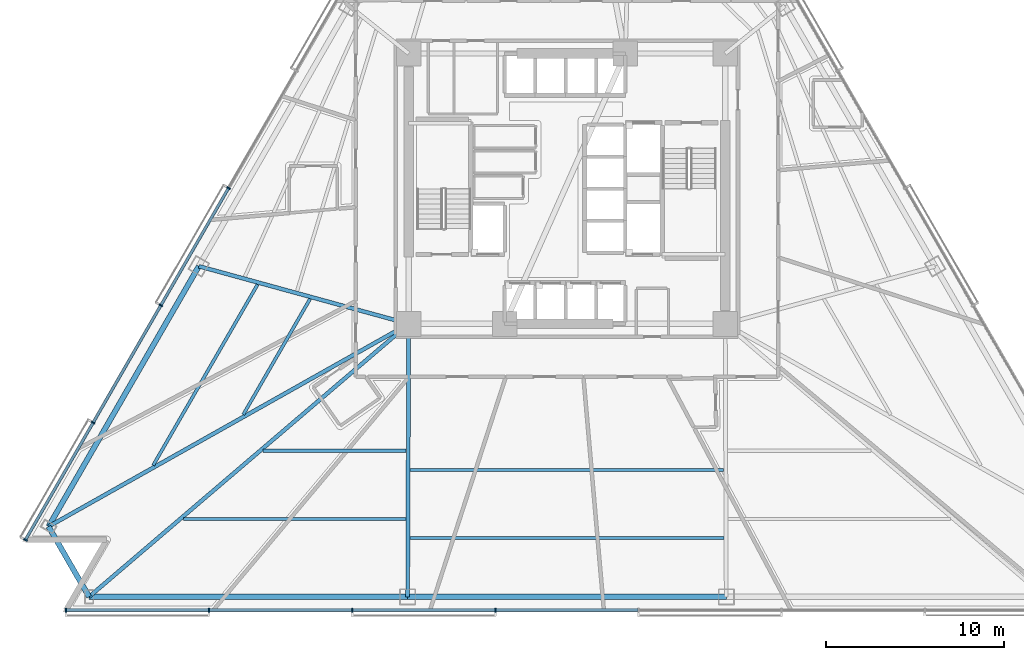
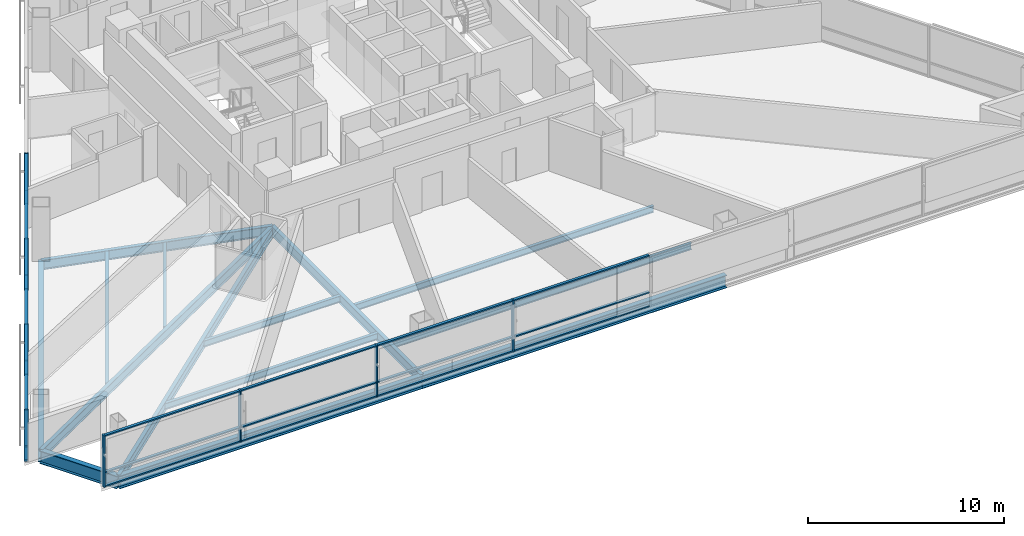
# One storey, part 2 of 18: 29 members, 14 beams, 2 elements without a shape of their own.
"""IFC4 building model written with IfcOpenShell, lengths in metres."""

from ifc_helpers import new_model, si_unit, direction, frame, origin, origin_2d, place, context, subcontext, project, spatial, rectangle, i_section, extrude, material, layer, layer_set, material_profile, profile_set, type_object, element, aggregate, save


model = new_model("IFC4")

# Units and contexts
model_context = context("Model", 3, precision=1e-05, world=origin(), true_north=direction((0.0, 1.0)))
body_context = subcontext(model_context, "Body", "Model", "MODEL_VIEW")
ifc_project = project(units=[si_unit("LENGTHUNIT", "METRE"), si_unit("AREAUNIT", "SQUARE_METRE"), si_unit("VOLUMEUNIT", "CUBIC_METRE"), si_unit("PLANEANGLEUNIT", "RADIAN"), si_unit("MASSUNIT", "GRAM", prefix="KILO")], contexts=[model_context])

# Site, building, storey
site_placement = place(None, origin())
site = spatial("IfcSite", under=ifc_project, at=site_placement, CompositionType="ELEMENT")
building_placement = place(site_placement, origin())
building = spatial("IfcBuilding", under=site, at=building_placement, Name="Tharavind Bronze Gate", CompositionType="ELEMENT")
storey_placement = place(building_placement, frame((0.0, 0.0, 38.64990234375)))
storey = spatial("IfcBuildingStorey", under=building, at=storey_placement, Name="L08", CompositionType="ELEMENT", Elevation=38.64990234375)

# Curtain wall, members
ifc_material_1 = material(Name="Anodised Bronze Aluminium", Category="aluminium")
ifc_layer = layer(ifc_material_1, 0.219970703125)
ifc_layer_set = layer_set([ifc_layer], Name="Anodised Bronze Aluminium")
curtain_wall_type = type_object("IfcCurtainWallType", Name="UNITISED CURTAIN WALL HOTEL", PredefinedType="USERDEFINED", material=ifc_layer_set)
curtain_wall_1_placement = place(storey_placement, origin())
curtain_wall_1 = element("IfcCurtainWall", 1, at=curtain_wall_1_placement, inside=storey, type_object=curtain_wall_type, Name="L08 unitised curtain wall hotel CW-L08-S1", ObjectType="UNITISED CURTAIN WALL", PredefinedType="USERDEFINED")
member_type_1 = type_object("IfcMemberType", Name="CURTAIN WALL MULLION 80X220", PredefinedType="MULLION", material=ifc_material_1)
member_1_placement = place(storey_placement, frame((-19.031982421875, 0.035888671875, 0.0), z_axis=(0.0, 0.0, 1.0), x_axis=(-0.500001511499, -0.866024531118, 0.0)))
member_1 = element("IfcMember", 2, at=member_1_placement, type_object=member_type_1, Name="CW-L08-S1 mullion 5", PredefinedType="MULLION", context=body_context, shape_type="SweptSolid", body=[
    extrude(rectangle(XDim=0.080078125, YDim=0.219970703125, at=origin_2d()), origin(), (0.0, 0.0, 1.0), 3.22509765625),
])
member_2_placement = place(storey_placement, frame((-22.83984375, -6.559814453125, 0.0), z_axis=(0.0, 0.0, 1.0), x_axis=(-0.500001511499, -0.866024531118, 0.0)))
member_2 = element("IfcMember", 3, at=member_2_placement, type_object=member_type_1, Name="CW-L08-S1 mullion 6", PredefinedType="MULLION", context=body_context, shape_type="SweptSolid", body=[
    extrude(rectangle(XDim=0.080078125, YDim=0.219970703125, at=origin_2d()), origin(), (0.0, 0.0, 1.0), 3.22509765625),
])
member_3_placement = place(storey_placement, frame((-26.647705078125, -13.1552734375, 0.0), z_axis=(0.0, 0.0, 1.0), x_axis=(-0.500001511499, -0.866024531118, 0.0)))
member_3 = element("IfcMember", 4, at=member_3_placement, type_object=member_type_1, Name="CW-L08-S1 mullion 7", PredefinedType="MULLION", context=body_context, shape_type="SweptSolid", body=[
    extrude(rectangle(XDim=0.080078125, YDim=0.219970703125, at=origin_2d()), origin(), (0.0, 0.0, 1.0), 3.22509765625),
])
member_4_placement = place(storey_placement, frame((-30.455810546875, -19.7509765625, 0.0), z_axis=(0.0, 0.0, 1.0), x_axis=(-0.500001511499, -0.866024531118, 0.0)))
member_4 = element("IfcMember", 5, at=member_4_placement, type_object=member_type_1, Name="CW-L08-S1 mullion 8", PredefinedType="MULLION", context=body_context, shape_type="SweptSolid", body=[
    extrude(rectangle(XDim=0.080078125, YDim=0.219970703125, at=origin_2d()), origin(), (0.0, 0.0, 1.0), 3.22509765625),
])

curtain_wall_2_placement = place(storey_placement, origin())
curtain_wall_2 = element("IfcCurtainWall", 6, at=curtain_wall_2_placement, inside=storey, type_object=curtain_wall_type, Name="L08 unitised curtain wall hotel CW-L08-S2", ObjectType="UNITISED CURTAIN WALL", PredefinedType="USERDEFINED")
member_5_placement = place(storey_placement, frame((-28.17578125, -23.699951171875, 0.0), z_axis=(0.0, 0.0, 1.0), x_axis=(1.0, 0.0, 0.0)))
member_5 = element("IfcMember", 7, at=member_5_placement, type_object=member_type_1, Name="CW-L08-S2 mullion 1", PredefinedType="MULLION", context=body_context, shape_type="SweptSolid", body=[
    extrude(rectangle(XDim=0.080078125, YDim=0.219970703125, at=origin_2d()), origin(), (0.0, 0.0, 1.0), 3.22509765625),
])
member_6_placement = place(storey_placement, frame((-20.12548828125, -23.699951171875, 0.0), z_axis=(0.0, 0.0, 1.0), x_axis=(1.0, 0.0, 0.0)))
member_6 = element("IfcMember", 8, at=member_6_placement, type_object=member_type_1, Name="CW-L08-S2 mullion 2", PredefinedType="MULLION", context=body_context, shape_type="SweptSolid", body=[
    extrude(rectangle(XDim=0.080078125, YDim=0.219970703125, at=origin_2d()), origin(), (0.0, 0.0, 1.0), 3.22509765625),
])
member_7_placement = place(storey_placement, frame((-12.0751953125, -23.699951171875, 0.0), z_axis=(0.0, 0.0, 1.0), x_axis=(1.0, 0.0, 0.0)))
member_7 = element("IfcMember", 9, at=member_7_placement, type_object=member_type_1, Name="CW-L08-S2 mullion 3", PredefinedType="MULLION", context=body_context, shape_type="SweptSolid", body=[
    extrude(rectangle(XDim=0.080078125, YDim=0.219970703125, at=origin_2d()), origin(), (0.0, 0.0, 1.0), 3.22509765625),
])
member_8_placement = place(storey_placement, frame((-4.025146484375, -23.699951171875, 0.0), z_axis=(0.0, 0.0, 1.0), x_axis=(1.0, 0.0, 0.0)))
member_8 = element("IfcMember", 10, at=member_8_placement, type_object=member_type_1, Name="CW-L08-S2 mullion 4", PredefinedType="MULLION", context=body_context, shape_type="SweptSolid", body=[
    extrude(rectangle(XDim=0.080078125, YDim=0.219970703125, at=origin_2d()), origin(), (0.0, 0.0, 1.0), 3.22509765625),
])

# Member
member_type_2 = type_object("IfcMemberType", Name="CURTAIN WALL TRANSOM 80X160", PredefinedType="USERDEFINED", material=ifc_material_1)
member_9_placement = place(storey_placement, frame((-20.935791015625, -3.261962890625, 0.0), z_axis=(0.0, 0.0, 1.0), x_axis=(-0.500001511499, -0.866024531118, 0.0)))
member_9 = element("IfcMember", 11, at=member_9_placement, type_object=member_type_2, Name="CW-L08-S1 transom TB5", ObjectType="TRANSOM", PredefinedType="USERDEFINED", context=body_context, shape_type="SweptSolid", body=[
    extrude(rectangle(XDim=7.5478515625, YDim=0.159912109375, at=origin_2d()), origin(), (0.0, 0.0, 1.0), 0.080078125),
])

member_10_placement = place(storey_placement, frame((-20.935791015625, -3.261962890625, 0.860107421875), z_axis=(0.0, 0.0, 1.0), x_axis=(-0.500001511499, -0.866024531118, 0.0)))
member_10 = element("IfcMember", 12, at=member_10_placement, type_object=member_type_2, Name="CW-L08-S1 transom TS5", ObjectType="TRANSOM", PredefinedType="USERDEFINED", context=body_context, shape_type="SweptSolid", body=[
    extrude(rectangle(XDim=7.5478515625, YDim=0.159912109375, at=origin_2d()), origin(), (0.0, 0.0, 1.0), 0.080078125),
])

member_11_placement = place(storey_placement, frame((-20.935791015625, -3.261962890625, 3.14501953125), z_axis=(0.0, 0.0, 1.0), x_axis=(-0.500001511499, -0.866024531118, 0.0)))
member_11 = element("IfcMember", 13, at=member_11_placement, type_object=member_type_2, Name="CW-L08-S1 transom TT5", ObjectType="TRANSOM", PredefinedType="USERDEFINED", context=body_context, shape_type="SweptSolid", body=[
    extrude(rectangle(XDim=7.5478515625, YDim=0.159912109375, at=origin_2d()), origin(), (0.0, 0.0, 1.0), 0.080078125),
])

member_12_placement = place(storey_placement, frame((-24.743896484375, -9.857421875, 0.0), z_axis=(0.0, 0.0, 1.0), x_axis=(-0.500001511499, -0.866024531118, 0.0)))
member_12 = element("IfcMember", 14, at=member_12_placement, type_object=member_type_2, Name="CW-L08-S1 transom TB6", ObjectType="TRANSOM", PredefinedType="USERDEFINED", context=body_context, shape_type="SweptSolid", body=[
    extrude(rectangle(XDim=7.5478515625, YDim=0.159912109375, at=origin_2d()), origin(), (0.0, 0.0, 1.0), 0.080078125),
])

member_13_placement = place(storey_placement, frame((-24.743896484375, -9.857421875, 0.860107421875), z_axis=(0.0, 0.0, 1.0), x_axis=(-0.500001511499, -0.866024531118, 0.0)))
member_13 = element("IfcMember", 15, at=member_13_placement, type_object=member_type_2, Name="CW-L08-S1 transom TS6", ObjectType="TRANSOM", PredefinedType="USERDEFINED", context=body_context, shape_type="SweptSolid", body=[
    extrude(rectangle(XDim=7.5478515625, YDim=0.159912109375, at=origin_2d()), origin(), (0.0, 0.0, 1.0), 0.080078125),
])

member_14_placement = place(storey_placement, frame((-24.743896484375, -9.857421875, 3.14501953125), z_axis=(0.0, 0.0, 1.0), x_axis=(-0.500001511499, -0.866024531118, 0.0)))
member_14 = element("IfcMember", 16, at=member_14_placement, type_object=member_type_2, Name="CW-L08-S1 transom TT6", ObjectType="TRANSOM", PredefinedType="USERDEFINED", context=body_context, shape_type="SweptSolid", body=[
    extrude(rectangle(XDim=7.5478515625, YDim=0.159912109375, at=origin_2d()), origin(), (0.0, 0.0, 1.0), 0.080078125),
])

member_15_placement = place(storey_placement, frame((-28.5517578125, -16.453125, 0.0), z_axis=(0.0, 0.0, 1.0), x_axis=(-0.500001511499, -0.866024531118, 0.0)))
member_15 = element("IfcMember", 17, at=member_15_placement, type_object=member_type_2, Name="CW-L08-S1 transom TB7", ObjectType="TRANSOM", PredefinedType="USERDEFINED", context=body_context, shape_type="SweptSolid", body=[
    extrude(rectangle(XDim=7.5478515625, YDim=0.159912109375, at=origin_2d()), origin(), (0.0, 0.0, 1.0), 0.080078125),
])

member_16_placement = place(storey_placement, frame((-28.5517578125, -16.453125, 0.860107421875), z_axis=(0.0, 0.0, 1.0), x_axis=(-0.500001511499, -0.866024531118, 0.0)))
member_16 = element("IfcMember", 18, at=member_16_placement, type_object=member_type_2, Name="CW-L08-S1 transom TS7", ObjectType="TRANSOM", PredefinedType="USERDEFINED", context=body_context, shape_type="SweptSolid", body=[
    extrude(rectangle(XDim=7.5478515625, YDim=0.159912109375, at=origin_2d()), origin(), (0.0, 0.0, 1.0), 0.080078125),
])

member_17_placement = place(storey_placement, frame((-28.5517578125, -16.453125, 3.14501953125), z_axis=(0.0, 0.0, 1.0), x_axis=(-0.500001511499, -0.866024531118, 0.0)))
member_17 = element("IfcMember", 19, at=member_17_placement, type_object=member_type_2, Name="CW-L08-S1 transom TT7", ObjectType="TRANSOM", PredefinedType="USERDEFINED", context=body_context, shape_type="SweptSolid", body=[
    extrude(rectangle(XDim=7.5478515625, YDim=0.159912109375, at=origin_2d()), origin(), (0.0, 0.0, 1.0), 0.080078125),
])

aggregate(curtain_wall_1, [member_1, member_2, member_3, member_4, member_9, member_10, member_11, member_12, member_13, member_14, member_15, member_16, member_17])

member_18_placement = place(storey_placement, frame((-24.150634765625, -23.699951171875, 0.0), z_axis=(0.0, 0.0, 1.0), x_axis=(1.0, 0.0, 0.0)))
member_18 = element("IfcMember", 20, at=member_18_placement, type_object=member_type_2, Name="CW-L08-S2 transom TB1", ObjectType="TRANSOM", PredefinedType="USERDEFINED", context=body_context, shape_type="SweptSolid", body=[
    extrude(rectangle(XDim=7.982177734375, YDim=0.159912109375, at=origin_2d()), origin(), (0.0, 0.0, 1.0), 0.080078125),
])

member_19_placement = place(storey_placement, frame((-24.150634765625, -23.699951171875, 0.860107421875), z_axis=(0.0, 0.0, 1.0), x_axis=(1.0, 0.0, 0.0)))
member_19 = element("IfcMember", 21, at=member_19_placement, type_object=member_type_2, Name="CW-L08-S2 transom TS1", ObjectType="TRANSOM", PredefinedType="USERDEFINED", context=body_context, shape_type="SweptSolid", body=[
    extrude(rectangle(XDim=7.982177734375, YDim=0.159912109375, at=origin_2d()), origin(), (0.0, 0.0, 1.0), 0.080078125),
])

member_20_placement = place(storey_placement, frame((-24.150634765625, -23.699951171875, 3.14501953125), z_axis=(0.0, 0.0, 1.0), x_axis=(1.0, 0.0, 0.0)))
member_20 = element("IfcMember", 22, at=member_20_placement, type_object=member_type_2, Name="CW-L08-S2 transom TT1", ObjectType="TRANSOM", PredefinedType="USERDEFINED", context=body_context, shape_type="SweptSolid", body=[
    extrude(rectangle(XDim=7.982177734375, YDim=0.159912109375, at=origin_2d()), origin(), (0.0, 0.0, 1.0), 0.080078125),
])

member_21_placement = place(storey_placement, frame((-16.1005859375, -23.699951171875, 0.0), z_axis=(0.0, 0.0, 1.0), x_axis=(1.0, 0.0, 0.0)))
member_21 = element("IfcMember", 23, at=member_21_placement, type_object=member_type_2, Name="CW-L08-S2 transom TB2", ObjectType="TRANSOM", PredefinedType="USERDEFINED", context=body_context, shape_type="SweptSolid", body=[
    extrude(rectangle(XDim=7.982177734375, YDim=0.159912109375, at=origin_2d()), origin(), (0.0, 0.0, 1.0), 0.080078125),
])

member_22_placement = place(storey_placement, frame((-16.1005859375, -23.699951171875, 0.860107421875), z_axis=(0.0, 0.0, 1.0), x_axis=(1.0, 0.0, 0.0)))
member_22 = element("IfcMember", 24, at=member_22_placement, type_object=member_type_2, Name="CW-L08-S2 transom TS2", ObjectType="TRANSOM", PredefinedType="USERDEFINED", context=body_context, shape_type="SweptSolid", body=[
    extrude(rectangle(XDim=7.982177734375, YDim=0.159912109375, at=origin_2d()), origin(), (0.0, 0.0, 1.0), 0.080078125),
])

member_23_placement = place(storey_placement, frame((-16.1005859375, -23.699951171875, 3.14501953125), z_axis=(0.0, 0.0, 1.0), x_axis=(1.0, 0.0, 0.0)))
member_23 = element("IfcMember", 25, at=member_23_placement, type_object=member_type_2, Name="CW-L08-S2 transom TT2", ObjectType="TRANSOM", PredefinedType="USERDEFINED", context=body_context, shape_type="SweptSolid", body=[
    extrude(rectangle(XDim=7.982177734375, YDim=0.159912109375, at=origin_2d()), origin(), (0.0, 0.0, 1.0), 0.080078125),
])

member_24_placement = place(storey_placement, frame((-8.05029296875, -23.699951171875, 0.0), z_axis=(0.0, 0.0, 1.0), x_axis=(1.0, 0.0, 0.0)))
member_24 = element("IfcMember", 26, at=member_24_placement, type_object=member_type_2, Name="CW-L08-S2 transom TB3", ObjectType="TRANSOM", PredefinedType="USERDEFINED", context=body_context, shape_type="SweptSolid", body=[
    extrude(rectangle(XDim=7.982177734375, YDim=0.159912109375, at=origin_2d()), origin(), (0.0, 0.0, 1.0), 0.080078125),
])

member_25_placement = place(storey_placement, frame((-8.05029296875, -23.699951171875, 0.860107421875), z_axis=(0.0, 0.0, 1.0), x_axis=(1.0, 0.0, 0.0)))
member_25 = element("IfcMember", 27, at=member_25_placement, type_object=member_type_2, Name="CW-L08-S2 transom TS3", ObjectType="TRANSOM", PredefinedType="USERDEFINED", context=body_context, shape_type="SweptSolid", body=[
    extrude(rectangle(XDim=7.982177734375, YDim=0.159912109375, at=origin_2d()), origin(), (0.0, 0.0, 1.0), 0.080078125),
])

member_26_placement = place(storey_placement, frame((-8.05029296875, -23.699951171875, 3.14501953125), z_axis=(0.0, 0.0, 1.0), x_axis=(1.0, 0.0, 0.0)))
member_26 = element("IfcMember", 28, at=member_26_placement, type_object=member_type_2, Name="CW-L08-S2 transom TT3", ObjectType="TRANSOM", PredefinedType="USERDEFINED", context=body_context, shape_type="SweptSolid", body=[
    extrude(rectangle(XDim=7.982177734375, YDim=0.159912109375, at=origin_2d()), origin(), (0.0, 0.0, 1.0), 0.080078125),
])

member_27_placement = place(storey_placement, frame((0.0, -23.699951171875, 0.0), z_axis=(0.0, 0.0, 1.0), x_axis=(1.0, 0.0, 0.0)))
member_27 = element("IfcMember", 29, at=member_27_placement, type_object=member_type_2, Name="CW-L08-S2 transom TB4", ObjectType="TRANSOM", PredefinedType="USERDEFINED", context=body_context, shape_type="SweptSolid", body=[
    extrude(rectangle(XDim=7.982177734375, YDim=0.159912109375, at=origin_2d()), origin(), (0.0, 0.0, 1.0), 0.080078125),
])

member_28_placement = place(storey_placement, frame((0.0, -23.699951171875, 0.860107421875), z_axis=(0.0, 0.0, 1.0), x_axis=(1.0, 0.0, 0.0)))
member_28 = element("IfcMember", 30, at=member_28_placement, type_object=member_type_2, Name="CW-L08-S2 transom TS4", ObjectType="TRANSOM", PredefinedType="USERDEFINED", context=body_context, shape_type="SweptSolid", body=[
    extrude(rectangle(XDim=7.982177734375, YDim=0.159912109375, at=origin_2d()), origin(), (0.0, 0.0, 1.0), 0.080078125),
])

member_29_placement = place(storey_placement, frame((0.0, -23.699951171875, 3.14501953125), z_axis=(0.0, 0.0, 1.0), x_axis=(1.0, 0.0, 0.0)))
member_29 = element("IfcMember", 31, at=member_29_placement, type_object=member_type_2, Name="CW-L08-S2 transom TT4", ObjectType="TRANSOM", PredefinedType="USERDEFINED", context=body_context, shape_type="SweptSolid", body=[
    extrude(rectangle(XDim=7.982177734375, YDim=0.159912109375, at=origin_2d()), origin(), (0.0, 0.0, 1.0), 0.080078125),
])

aggregate(curtain_wall_2, [member_5, member_6, member_7, member_8, member_18, member_19, member_20, member_21, member_22, member_23, member_24, member_25, member_26, member_27, member_28, member_29])

# Beams
ifc_material_2 = material(Name="Steel S355", Category="steel")
ifc_material_profile_1 = material_profile(ifc_material_2, i_section(OverallWidth=0.219970703125, OverallDepth=0.60009765625, WebThickness=0.011962890625, FlangeThickness=0.01904296875, at=origin_2d()), Name="IPE600")
ifc_profile_set_1 = profile_set([ifc_material_profile_1], Name="Steel S355")
beam_type_1 = type_object("IfcBeamType", Name="PRIMARY GIRDER IPE600", PredefinedType="USERDEFINED", material=ifc_profile_set_1)
beam_1_placement = place(storey_placement, frame((-20.70458984375, -4.361083984375, -0.474853515625), z_axis=(0.96435718827, -0.264603880228, 0.0), x_axis=(0.264603880228, 0.96435718827, 0.0)))
element("IfcBeam", 32, at=beam_1_placement, inside=storey, type_object=beam_type_1, Name="L08 primary girder ipe600 BM-L08-RAD03", ObjectType="GIRDER", PredefinedType="USERDEFINED", context=body_context, shape_type="SweptSolid", body=[
    extrude(i_section(OverallWidth=0.219970703125, OverallDepth=0.60009765625, WebThickness=0.011962890625, FlangeThickness=0.01904296875, at=origin_2d()), origin(), (0.0, 0.0, 1.0), 12.240966796875),
])
beam_2_placement = place(storey_placement, frame((-29.15673828125, -19.0009765625, -0.474853515625), z_axis=(0.871457703454, 0.490470662824, 0.0), x_axis=(-0.490470662824, 0.871457703454, 0.0)))
element("IfcBeam", 33, at=beam_2_placement, inside=storey, type_object=beam_type_1, Name="L08 primary girder ipe600 BM-L08-RAD04", ObjectType="GIRDER", PredefinedType="USERDEFINED", context=body_context, shape_type="SweptSolid", body=[
    extrude(i_section(OverallWidth=0.219970703125, OverallDepth=0.60009765625, WebThickness=0.011962890625, FlangeThickness=0.01904296875, at=origin_2d()), origin(), (0.0, 0.0, 1.0), 23.244873046875),
])
beam_3_placement = place(storey_placement, frame((-26.876708984375, -22.949951171875, -0.474853515625), z_axis=(0.76048513475, 0.649355341723, 0.0), x_axis=(-0.649355341723, 0.76048513475, 0.0)))
element("IfcBeam", 34, at=beam_3_placement, inside=storey, type_object=beam_type_1, Name="L08 primary girder ipe600 BM-L08-RAD05", ObjectType="GIRDER", PredefinedType="USERDEFINED", context=body_context, shape_type="SweptSolid", body=[
    extrude(i_section(OverallWidth=0.219970703125, OverallDepth=0.60009765625, WebThickness=0.011962890625, FlangeThickness=0.01904296875, at=origin_2d()), origin(), (0.0, 0.0, 1.0), 23.638671875),
])
beam_4_placement = place(storey_placement, frame((-8.958984375, -22.949951171875, -0.474853515625), z_axis=(0.003849000484, 0.99999259257, 0.0), x_axis=(-0.99999259257, 0.003849000484, 0.0)))
element("IfcBeam", 35, at=beam_4_placement, inside=storey, type_object=beam_type_1, Name="L08 primary girder ipe600 BM-L08-RAD06", ObjectType="GIRDER", PredefinedType="USERDEFINED", context=body_context, shape_type="SweptSolid", body=[
    extrude(i_section(OverallWidth=0.219970703125, OverallDepth=0.60009765625, WebThickness=0.011962890625, FlangeThickness=0.01904296875, at=origin_2d()), origin(), (0.0, 0.0, 1.0), 15.349853515625),
])
ifc_material_profile_2 = material_profile(ifc_material_2, i_section(OverallWidth=0.300048828125, OverallDepth=0.800048828125, WebThickness=0.017578125, FlangeThickness=0.032958984375, at=origin_2d()), Name="HE800B")
ifc_profile_set_2 = profile_set([ifc_material_profile_2], Name="Steel S355")
beam_type_2 = type_object("IfcBeamType", Name="RING GIRDER HE800B", PredefinedType="USERDEFINED", material=ifc_profile_set_2)
beam_5_placement = place(storey_placement, frame((-20.70458984375, -4.361083984375, -0.574951171875), z_axis=(-0.4999912383, -0.866030462295, 0.0), x_axis=(0.866030462295, -0.4999912383, 0.0)))
element("IfcBeam", 36, at=beam_5_placement, inside=storey, type_object=beam_type_2, Name="L08 ring girder he800b BM-L08-PRG03", ObjectType="GIRDER", PredefinedType="USERDEFINED", context=body_context, shape_type="SweptSolid", body=[
    extrude(i_section(OverallWidth=0.300048828125, OverallDepth=0.800048828125, WebThickness=0.017578125, FlangeThickness=0.032958984375, at=origin_2d()), origin(), (0.0, 0.0, 1.0), 16.904541015625),
])
beam_6_placement = place(storey_placement, frame((-29.15673828125, -19.0009765625, -0.574951171875), z_axis=(0.500014431597, -0.866017071537, 0.0), x_axis=(0.866017071537, 0.500014431597, 0.0)))
element("IfcBeam", 37, at=beam_6_placement, inside=storey, type_object=beam_type_2, Name="L08 ring girder he800b BM-L08-PRG04", ObjectType="GIRDER", PredefinedType="USERDEFINED", context=body_context, shape_type="SweptSolid", body=[
    extrude(i_section(OverallWidth=0.300048828125, OverallDepth=0.800048828125, WebThickness=0.017578125, FlangeThickness=0.032958984375, at=origin_2d()), origin(), (0.0, 0.0, 1.0), 4.559814453125),
])
beam_7_placement = place(storey_placement, frame((-26.876708984375, -22.949951171875, -0.574951171875), z_axis=(1.0, 0.0, 0.0), x_axis=(0.0, 1.0, 0.0)))
element("IfcBeam", 38, at=beam_7_placement, inside=storey, type_object=beam_type_2, Name="L08 ring girder he800b BM-L08-PRG05", ObjectType="GIRDER", PredefinedType="USERDEFINED", context=body_context, shape_type="SweptSolid", body=[
    extrude(i_section(OverallWidth=0.300048828125, OverallDepth=0.800048828125, WebThickness=0.017578125, FlangeThickness=0.032958984375, at=origin_2d()), origin(), (0.0, 0.0, 1.0), 17.917724609375),
])
beam_8_placement = place(storey_placement, frame((-8.958984375, -22.949951171875, -0.574951171875), z_axis=(1.0, 0.0, 0.0), x_axis=(0.0, 1.0, 0.0)))
element("IfcBeam", 39, at=beam_8_placement, inside=storey, type_object=beam_type_2, Name="L08 ring girder he800b BM-L08-PRG06", ObjectType="GIRDER", PredefinedType="USERDEFINED", context=body_context, shape_type="SweptSolid", body=[
    extrude(i_section(OverallWidth=0.300048828125, OverallDepth=0.800048828125, WebThickness=0.017578125, FlangeThickness=0.032958984375, at=origin_2d()), origin(), (0.0, 0.0, 1.0), 17.91796875),
])
ifc_material_profile_3 = material_profile(ifc_material_2, i_section(OverallWidth=0.179931640625, OverallDepth=0.39990234375, WebThickness=0.008544921875, FlangeThickness=0.013427734375, at=origin_2d()), Name="IPE400")
ifc_profile_set_3 = profile_set([ifc_material_profile_3], Name="Steel S355")
beam_type_3 = type_object("IfcBeamType", Name="SECONDARY FLOOR JOIST IPE400", PredefinedType="JOIST", material=ifc_profile_set_3)
beam_9_placement = place(storey_placement, frame((-14.447998046875, -6.19580078125, -0.375), z_axis=(-0.499995879736, -0.866027782607, 0.0), x_axis=(0.866027782607, -0.499995879736, 0.0)))
element("IfcBeam", 40, at=beam_9_placement, inside=storey, type_object=beam_type_3, Name="L08 secondary floor joist ipe400 BM-L08-JSTA03", PredefinedType="JOIST", context=body_context, shape_type="SweptSolid", body=[
    extrude(i_section(OverallWidth=0.179931640625, OverallDepth=0.39990234375, WebThickness=0.008544921875, FlangeThickness=0.013427734375, at=origin_2d()), origin(), (0.0, 0.0, 1.0), 7.52294921875),
])
beam_10_placement = place(storey_placement, frame((-17.399169921875, -5.38623046875, -0.375), z_axis=(-0.499996459651, -0.866027447796, 0.0), x_axis=(0.866027447796, -0.499996459651, 0.0)))
element("IfcBeam", 41, at=beam_10_placement, inside=storey, type_object=beam_type_3, Name="L08 secondary floor joist ipe400 BM-L08-JSTB03", PredefinedType="JOIST", context=body_context, shape_type="SweptSolid", body=[
    extrude(i_section(OverallWidth=0.179931640625, OverallDepth=0.39990234375, WebThickness=0.008544921875, FlangeThickness=0.013427734375, at=origin_2d()), origin(), (0.0, 0.0, 1.0), 11.7490234375),
])
beam_11_placement = place(storey_placement, frame((-17.085693359375, -14.73779296875, -0.375), z_axis=(1.0, 0.0, 0.0), x_axis=(0.0, 1.0, 0.0)))
element("IfcBeam", 42, at=beam_11_placement, inside=storey, type_object=beam_type_3, Name="L08 secondary floor joist ipe400 BM-L08-JSTA05", PredefinedType="JOIST", context=body_context, shape_type="SweptSolid", body=[
    extrude(i_section(OverallWidth=0.179931640625, OverallDepth=0.39990234375, WebThickness=0.008544921875, FlangeThickness=0.013427734375, at=origin_2d()), origin(), (0.0, 0.0, 1.0), 8.044189453125),
])
beam_12_placement = place(storey_placement, frame((-21.580078125, -18.5751953125, -0.375), z_axis=(1.0, 0.0, 0.0), x_axis=(0.0, 1.0, 0.0)))
element("IfcBeam", 43, at=beam_12_placement, inside=storey, type_object=beam_type_3, Name="L08 secondary floor joist ipe400 BM-L08-JSTB05", PredefinedType="JOIST", context=body_context, shape_type="SweptSolid", body=[
    extrude(i_section(OverallWidth=0.179931640625, OverallDepth=0.39990234375, WebThickness=0.008544921875, FlangeThickness=0.013427734375, at=origin_2d()), origin(), (0.0, 0.0, 1.0), 12.52392578125),
])
beam_13_placement = place(storey_placement, frame((-8.8173828125, -15.812255859375, -0.375), z_axis=(1.0, 0.0, 0.0), x_axis=(0.0, 1.0, 0.0)))
element("IfcBeam", 44, at=beam_13_placement, inside=storey, type_object=beam_type_3, Name="L08 secondary floor joist ipe400 BM-L08-JSTA06", PredefinedType="JOIST", context=body_context, shape_type="SweptSolid", body=[
    extrude(i_section(OverallWidth=0.179931640625, OverallDepth=0.39990234375, WebThickness=0.008544921875, FlangeThickness=0.013427734375, at=origin_2d()), origin(), (0.0, 0.0, 1.0), 17.634765625),
])
beam_14_placement = place(storey_placement, frame((-8.832275390625, -19.64990234375, -0.375), z_axis=(1.0, 0.0, 0.0), x_axis=(0.0, 1.0, 0.0)))
element("IfcBeam", 45, at=beam_14_placement, inside=storey, type_object=beam_type_3, Name="L08 secondary floor joist ipe400 BM-L08-JSTB06", PredefinedType="JOIST", context=body_context, shape_type="SweptSolid", body=[
    extrude(i_section(OverallWidth=0.179931640625, OverallDepth=0.39990234375, WebThickness=0.008544921875, FlangeThickness=0.013427734375, at=origin_2d()), origin(), (0.0, 0.0, 1.0), 17.66455078125),
])

save(model, "model.ifc")
